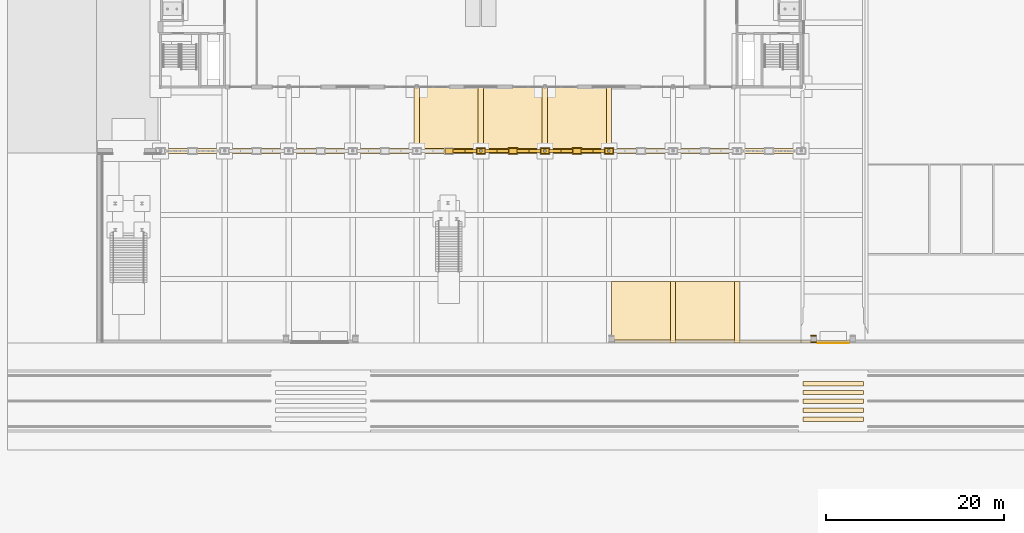
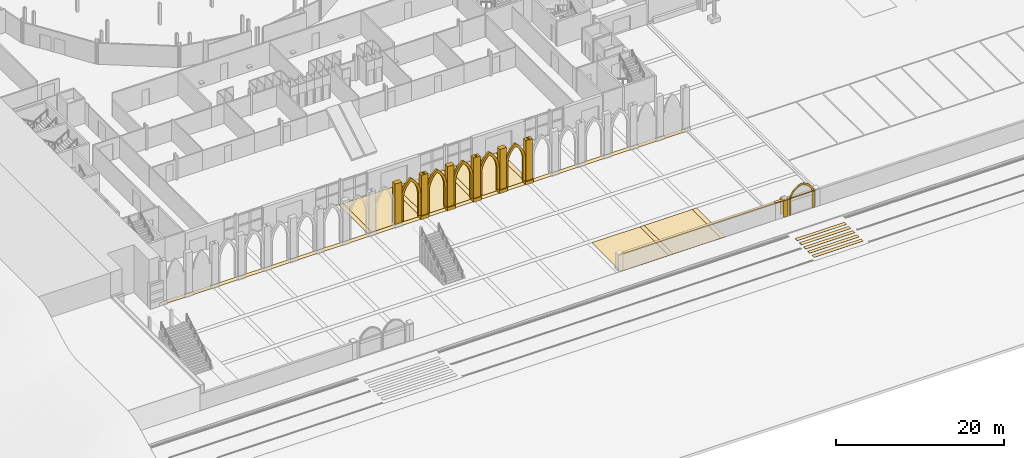
# One storey, part 119 of 148: 39 coverings.
"""IFC4 building model written with IfcOpenShell, lengths in metres."""

from ifc_helpers import new_model, si_unit, direction, frame, origin, place, context, subcontext, project, spatial, polyline, outline, extrude, material, layer, layer_set, type_object, element, save


model = new_model("IFC4")

# Units and contexts
model_context = context("Model", 3, precision=1e-05, world=origin(), true_north=direction((0.0, 1.0)))
body_context = subcontext(model_context, "Body", "Model", "MODEL_VIEW")
ifc_project = project(units=[si_unit("LENGTHUNIT", "METRE"), si_unit("AREAUNIT", "SQUARE_METRE"), si_unit("VOLUMEUNIT", "CUBIC_METRE"), si_unit("PLANEANGLEUNIT", "RADIAN"), si_unit("MASSUNIT", "GRAM", prefix="KILO")], contexts=[model_context])

# Site, building, storey
site_placement = place(None, origin())
site = spatial("IfcSite", under=ifc_project, at=site_placement, CompositionType="ELEMENT")
building_placement = place(site_placement, origin())
building = spatial("IfcBuilding", under=site, at=building_placement, Name="Kupolbacken Congress Centre", CompositionType="ELEMENT")
storey_placement = place(building_placement, origin())
storey = spatial("IfcBuildingStorey", under=building, at=storey_placement, Name="L00", CompositionType="ELEMENT", Elevation=0.0)

# Coverings
ifc_material_1 = material(Name="Limestone cladding", Category="masonry")
ifc_layer_1 = layer(ifc_material_1, 0.1201171875)
ifc_layer_set_1 = layer_set([ifc_layer_1], Name="Limestone cladding")
covering_type_1 = type_object("IfcCoveringType", Name="CV1 limestone cladding band 120", PredefinedType="CLADDING", material=ifc_layer_set_1)
covering_1_placement = place(storey_placement, origin())
element("IfcCovering", 1, at=covering_1_placement, inside=storey, type_object=covering_type_1, Name="Gate pier limestone facing", PredefinedType="CLADDING", context=body_context, shape_type="SweptSolid", body=[
    extrude(outline(polyline([(80.300048828125, 0.02490234375), (80.300048828125, 0.14501953125), (80.89990234375, 0.14501953125), (80.89990234375, 0.02490234375), (80.300048828125, 0.02490234375)])), origin(), (0.0, 0.0, 1.0), 2.39990234375),
])
covering_2_placement = place(storey_placement, origin())
element("IfcCovering", 2, at=covering_2_placement, inside=storey, type_object=covering_type_1, Name="Gate pier limestone facing", PredefinedType="CLADDING", context=body_context, shape_type="SweptSolid", body=[
    extrude(outline(polyline([(80.300048828125, 0.7451171875), (80.300048828125, 0.864990234375), (80.89990234375, 0.864990234375), (80.89990234375, 0.7451171875), (80.300048828125, 0.7451171875)])), origin(), (0.0, 0.0, 1.0), 2.39990234375),
])
covering_3_placement = place(storey_placement, frame((0.0, 0.0, 2.39990234375)))
element("IfcCovering", 3, at=covering_3_placement, inside=storey, type_object=covering_type_1, Name="Limestone coping on boundary wall", PredefinedType="CLADDING", context=body_context, shape_type="SweptSolid", body=[
    extrude(outline(polyline([(58.199951171875, 0.375), (79.199951171875, 0.375), (79.199951171875, 0.0009765625), (58.199951171875, 0.0009765625), (58.199951171875, 0.375)])), origin(), (0.0, 0.0, 1.0), 0.1201171875),
])
covering_4_placement = place(storey_placement, frame((0.0, 0.0, 2.39990234375)))
element("IfcCovering", 4, at=covering_4_placement, inside=storey, type_object=covering_type_1, Name="Limestone coping on boundary wall", PredefinedType="CLADDING", context=body_context, shape_type="SweptSolid", body=[
    extrude(outline(polyline([(79.199951171875, 0.375), (80.300048828125, 0.375), (80.300048828125, 0.0009765625), (79.199951171875, 0.0009765625), (79.199951171875, 0.375)])), origin(), (0.0, 0.0, 1.0), 0.1201171875),
])
covering_5_placement = place(storey_placement, frame((0.0, 0.0, 2.39990234375)))
element("IfcCovering", 5, at=covering_5_placement, inside=storey, type_object=covering_type_1, Name="Limestone coping on boundary wall", PredefinedType="CLADDING", context=body_context, shape_type="SweptSolid", body=[
    extrude(outline(polyline([(80.89990234375, 0.375), (84.699951171875, 0.375), (84.699951171875, 0.0009765625), (80.89990234375, 0.0009765625), (80.89990234375, 0.375)])), origin(), (0.0, 0.0, 1.0), 0.1201171875),
])
ifc_material_2 = material(Name="Limestone cladding", Category="masonry")
ifc_layer_2 = layer(ifc_material_2, 0.14990234375)
ifc_layer_set_2 = layer_set([ifc_layer_2], Name="Limestone cladding")
covering_type_2 = type_object("IfcCoveringType", Name="CV4 limestone blind arch frame 150", PredefinedType="CLADDING", material=ifc_layer_set_2)
covering_6_placement = place(storey_placement, frame((81.050048828125, 0.02490234375, 0.0), z_axis=(0.0, -1.0, 0.0), x_axis=(1.0, 0.0, 0.0)))
element("IfcCovering", 6, at=covering_6_placement, inside=storey, type_object=covering_type_2, Name="E/portal/PG1/arch1", PredefinedType="CLADDING", context=body_context, shape_type="SweptSolid", body=[
    extrude(outline(polyline([(0.0, 0.0), (0.0, 2.0), (0.010498046875, 2.21484375), (0.04150390625, 2.427978515625), (0.09326171875, 2.63671875), (0.164794921875, 2.839599609375), (0.255859375, 3.03466796875), (0.365234375, 3.219970703125), (0.491943359375, 3.393798828125), (0.635009765625, 3.5546875), (0.79296875, 3.70068359375), (0.96435546875, 3.8310546875), (1.1474609375, 3.944091796875), (1.3408203125, 4.038818359375), (1.542236328125, 4.1142578125), (1.75, 4.169921875), (1.957763671875, 4.1142578125), (2.1591796875, 4.038818359375), (2.3525390625, 3.944091796875), (2.53564453125, 3.8310546875), (2.70703125, 3.70068359375), (2.864990234375, 3.5546875), (3.008056640625, 3.393798828125), (3.134765625, 3.219970703125), (3.244140625, 3.03466796875), (3.335205078125, 2.839599609375), (3.40673828125, 2.63671875), (3.45849609375, 2.427978515625), (3.489501953125, 2.21484375), (3.5, 2.0), (3.5, 0.0), (3.25, 0.0), (3.25, 2.0), (3.2412109375, 2.18701171875), (3.214599609375, 2.3720703125), (3.17041015625, 2.553955078125), (3.109619140625, 2.730712890625), (3.031982421875, 2.90087890625), (2.938720703125, 3.06298828125), (2.830322265625, 3.215576171875), (2.7080078125, 3.357177734375), (2.572998046875, 3.486572265625), (2.426025390625, 3.6025390625), (2.268798828125, 3.7041015625), (2.102783203125, 3.790283203125), (1.92919921875, 3.860107421875), (1.75, 3.913330078125), (1.57080078125, 3.860107421875), (1.397216796875, 3.790283203125), (1.231201171875, 3.7041015625), (1.073974609375, 3.6025390625), (0.927001953125, 3.486572265625), (0.7919921875, 3.357177734375), (0.669677734375, 3.215576171875), (0.561279296875, 3.06298828125), (0.468017578125, 2.90087890625), (0.390380859375, 2.730712890625), (0.32958984375, 2.553955078125), (0.285400390625, 2.3720703125), (0.2587890625, 2.18701171875), (0.25, 2.0), (0.25, 0.0), (0.0, 0.0)])), origin(), (0.0, 0.0, 1.0), 0.02001953125),
])
ifc_material_3 = material(Name="Limestone cladding", Category="masonry")
ifc_layer_3 = layer(ifc_material_3, 0.60009765625)
ifc_layer_set_3 = layer_set([ifc_layer_3], Name="Limestone cladding")
covering_type_3 = type_object("IfcCoveringType", Name="CV5 limestone arcade pier 600", PredefinedType="CLADDING", material=ifc_layer_set_3)
covering_7_placement = place(storey_placement, frame((0.0, 0.0, 0.5)))
element("IfcCovering", 7, at=covering_7_placement, inside=storey, type_object=covering_type_3, Name="F/arc/pier/039.6/shaft", PredefinedType="CLADDING", context=body_context, shape_type="SweptSolid", body=[
    extrude(outline(polyline([(39.14990234375, 21.300048828125), (40.050048828125, 21.300048828125), (40.050048828125, 21.89990234375), (39.14990234375, 21.89990234375), (39.14990234375, 21.300048828125)])), origin(), (0.0, 0.0, 1.0), 5.8701171875),
])
covering_8_placement = place(storey_placement, origin())
element("IfcCovering", 8, at=covering_8_placement, inside=storey, type_object=covering_type_3, Name="F/arc/pier/043.2/base", PredefinedType="CLADDING", context=body_context, shape_type="SweptSolid", body=[
    extrude(outline(polyline([(42.64990234375, 21.199951171875), (43.75, 21.199951171875), (43.75, 22.0), (42.64990234375, 22.0), (42.64990234375, 21.199951171875)]), holes=[polyline([(43.06005859375, 21.4599609375), (43.340087890625, 21.4599609375), (43.340087890625, 21.739990234375), (43.06005859375, 21.739990234375), (43.06005859375, 21.4599609375)])]), origin(), (0.0, 0.0, 1.0), 0.5),
])
covering_9_placement = place(storey_placement, frame((0.0, 0.0, 0.5)))
element("IfcCovering", 9, at=covering_9_placement, inside=storey, type_object=covering_type_3, Name="F/arc/pier/043.2/shaft", PredefinedType="CLADDING", context=body_context, shape_type="SweptSolid", body=[
    extrude(outline(polyline([(42.75, 21.300048828125), (43.64990234375, 21.300048828125), (43.64990234375, 21.89990234375), (42.75, 21.89990234375), (42.75, 21.300048828125)]), holes=[polyline([(43.06005859375, 21.4599609375), (43.340087890625, 21.4599609375), (43.340087890625, 21.739990234375), (43.06005859375, 21.739990234375), (43.06005859375, 21.4599609375)])]), origin(), (0.0, 0.0, 1.0), 5.8701171875),
])
covering_10_placement = place(storey_placement, origin())
element("IfcCovering", 10, at=covering_10_placement, inside=storey, type_object=covering_type_3, Name="F/arc/pier/046.8/base", PredefinedType="CLADDING", context=body_context, shape_type="SweptSolid", body=[
    extrude(outline(polyline([(46.25, 21.199951171875), (47.35009765625, 21.199951171875), (47.35009765625, 22.0), (46.25, 22.0), (46.25, 21.199951171875)])), origin(), (0.0, 0.0, 1.0), 0.5),
])
covering_11_placement = place(storey_placement, frame((0.0, 0.0, 0.5)))
element("IfcCovering", 11, at=covering_11_placement, inside=storey, type_object=covering_type_3, Name="F/arc/pier/046.8/shaft", PredefinedType="CLADDING", context=body_context, shape_type="SweptSolid", body=[
    extrude(outline(polyline([(46.35009765625, 21.300048828125), (47.25, 21.300048828125), (47.25, 21.89990234375), (46.35009765625, 21.89990234375), (46.35009765625, 21.300048828125)])), origin(), (0.0, 0.0, 1.0), 5.8701171875),
])
covering_12_placement = place(storey_placement, origin())
element("IfcCovering", 12, at=covering_12_placement, inside=storey, type_object=covering_type_3, Name="F/arc/pier/050.4/base", PredefinedType="CLADDING", context=body_context, shape_type="SweptSolid", body=[
    extrude(outline(polyline([(49.85009765625, 21.199951171875), (50.949951171875, 21.199951171875), (50.949951171875, 22.0), (49.85009765625, 22.0), (49.85009765625, 21.199951171875)]), holes=[polyline([(50.260009765625, 21.4599609375), (50.5400390625, 21.4599609375), (50.5400390625, 21.739990234375), (50.260009765625, 21.739990234375), (50.260009765625, 21.4599609375)])]), origin(), (0.0, 0.0, 1.0), 0.5),
])
covering_13_placement = place(storey_placement, frame((0.0, 0.0, 0.5)))
element("IfcCovering", 13, at=covering_13_placement, inside=storey, type_object=covering_type_3, Name="F/arc/pier/050.4/shaft", PredefinedType="CLADDING", context=body_context, shape_type="SweptSolid", body=[
    extrude(outline(polyline([(49.949951171875, 21.300048828125), (50.85009765625, 21.300048828125), (50.85009765625, 21.89990234375), (49.949951171875, 21.89990234375), (49.949951171875, 21.300048828125)]), holes=[polyline([(50.260009765625, 21.4599609375), (50.5400390625, 21.4599609375), (50.5400390625, 21.739990234375), (50.260009765625, 21.739990234375), (50.260009765625, 21.4599609375)])]), origin(), (0.0, 0.0, 1.0), 5.8701171875),
])
covering_14_placement = place(storey_placement, origin())
element("IfcCovering", 14, at=covering_14_placement, inside=storey, type_object=covering_type_3, Name="F/arc/pier/054.0/base", PredefinedType="CLADDING", context=body_context, shape_type="SweptSolid", body=[
    extrude(outline(polyline([(53.449951171875, 21.199951171875), (54.550048828125, 21.199951171875), (54.550048828125, 22.0), (53.449951171875, 22.0), (53.449951171875, 21.199951171875)])), origin(), (0.0, 0.0, 1.0), 0.5),
])
covering_15_placement = place(storey_placement, frame((0.0, 0.0, 0.5)))
element("IfcCovering", 15, at=covering_15_placement, inside=storey, type_object=covering_type_3, Name="F/arc/pier/054.0/shaft", PredefinedType="CLADDING", context=body_context, shape_type="SweptSolid", body=[
    extrude(outline(polyline([(53.550048828125, 21.300048828125), (54.449951171875, 21.300048828125), (54.449951171875, 21.89990234375), (53.550048828125, 21.89990234375), (53.550048828125, 21.300048828125)])), origin(), (0.0, 0.0, 1.0), 5.8701171875),
])
covering_16_placement = place(storey_placement, origin())
element("IfcCovering", 16, at=covering_16_placement, inside=storey, type_object=covering_type_3, Name="F/arc/pier/057.6/base", PredefinedType="CLADDING", context=body_context, shape_type="SweptSolid", body=[
    extrude(outline(polyline([(57.050048828125, 21.199951171875), (58.14990234375, 21.199951171875), (58.14990234375, 22.0), (57.050048828125, 22.0), (57.050048828125, 21.199951171875)]), holes=[polyline([(57.4599609375, 21.4599609375), (57.739990234375, 21.4599609375), (57.739990234375, 21.739990234375), (57.4599609375, 21.739990234375), (57.4599609375, 21.4599609375)])]), origin(), (0.0, 0.0, 1.0), 0.5),
])
covering_17_placement = place(storey_placement, frame((0.0, 0.0, 0.5)))
element("IfcCovering", 17, at=covering_17_placement, inside=storey, type_object=covering_type_3, Name="F/arc/pier/057.6/shaft", PredefinedType="CLADDING", context=body_context, shape_type="SweptSolid", body=[
    extrude(outline(polyline([(57.14990234375, 21.300048828125), (58.050048828125, 21.300048828125), (58.050048828125, 21.89990234375), (57.14990234375, 21.89990234375), (57.14990234375, 21.300048828125)]), holes=[polyline([(57.4599609375, 21.4599609375), (57.739990234375, 21.4599609375), (57.739990234375, 21.739990234375), (57.4599609375, 21.739990234375), (57.4599609375, 21.4599609375)])]), origin(), (0.0, 0.0, 1.0), 5.8701171875),
])
ifc_material_4 = material(Name="Limestone cladding", Category="masonry")
ifc_layer_4 = layer(ifc_material_4, 0.300048828125)
ifc_layer_set_4 = layer_set([ifc_layer_4], Name="Limestone cladding")
covering_type_4 = type_object("IfcCoveringType", Name="CV6 limestone arcade arch frame 300", PredefinedType="CLADDING", material=ifc_layer_set_4)
covering_18_placement = place(storey_placement, frame((40.050048828125, 21.449951171875, 0.5), z_axis=(0.0, 1.0, 0.0), x_axis=(-1.0, 0.0, 0.0)))
element("IfcCovering", 18, at=covering_18_placement, inside=storey, type_object=covering_type_4, Name="F/arc/arch/039.6", PredefinedType="CLADDING", context=body_context, shape_type="SweptSolid", body=[
    extrude(outline(polyline([(0.0, 0.0), (0.0, 3.1201171875), (-0.00732421875, 3.343505859375), (-0.029541015625, 3.56591796875), (-0.06640625, 3.7861328125), (-0.117919921875, 4.00390625), (-0.183349609375, 4.21728515625), (-0.262939453125, 4.42626953125), (-0.356201171875, 4.62939453125), (-0.462890625, 4.82568359375), (-0.58203125, 5.014892578125), (-0.713623046875, 5.195556640625), (-0.85693359375, 5.3671875), (-1.010986328125, 5.52880859375), (-1.17578125, 5.68017578125), (-1.35009765625, 5.820068359375), (-1.5244140625, 5.68017578125), (-1.68896484375, 5.52880859375), (-1.843017578125, 5.3671875), (-1.986328125, 5.195556640625), (-2.117919921875, 5.014892578125), (-2.2373046875, 4.82568359375), (-2.34375, 4.62939453125), (-2.43701171875, 4.42626953125), (-2.5166015625, 4.21728515625), (-2.582275390625, 4.00390625), (-2.633544921875, 3.7861328125), (-2.67041015625, 3.56591796875), (-2.692626953125, 3.343505859375), (-2.699951171875, 3.1201171875), (-2.699951171875, 0.0), (-2.39990234375, 0.0), (-2.39990234375, 3.1201171875), (-2.394287109375, 3.306884765625), (-2.377197265625, 3.493408203125), (-2.348876953125, 3.67822265625), (-2.309326171875, 3.861083984375), (-2.2587890625, 4.041259765625), (-2.197265625, 4.218017578125), (-2.125244140625, 4.390625), (-2.042724609375, 4.55859375), (-1.9501953125, 4.72119140625), (-1.847900390625, 4.877685546875), (-1.736572265625, 5.028076171875), (-1.615966796875, 5.171142578125), (-1.487060546875, 5.306640625), (-1.35009765625, 5.43408203125), (-1.212890625, 5.306640625), (-1.083984375, 5.171142578125), (-0.96337890625, 5.028076171875), (-0.85205078125, 4.877685546875), (-0.749755859375, 4.72119140625), (-0.6572265625, 4.55859375), (-0.57470703125, 4.390625), (-0.502685546875, 4.218017578125), (-0.441162109375, 4.041259765625), (-0.390625, 3.861083984375), (-0.35107421875, 3.67822265625), (-0.32275390625, 3.493408203125), (-0.3056640625, 3.306884765625), (-0.300048828125, 3.1201171875), (-0.300048828125, 0.0), (0.0, 0.0)])), origin(), (0.0, 0.0, 1.0), 0.300048828125),
])
covering_19_placement = place(storey_placement, frame((43.64990234375, 21.449951171875, 0.5), z_axis=(0.0, 1.0, 0.0), x_axis=(-1.0, 0.0, 0.0)))
element("IfcCovering", 19, at=covering_19_placement, inside=storey, type_object=covering_type_4, Name="F/arc/arch/043.2", PredefinedType="CLADDING", context=body_context, shape_type="SweptSolid", body=[
    extrude(outline(polyline([(0.0, 0.0), (0.0, 3.1201171875), (-0.00732421875, 3.343505859375), (-0.029541015625, 3.56591796875), (-0.06640625, 3.7861328125), (-0.117919921875, 4.00390625), (-0.183349609375, 4.21728515625), (-0.262939453125, 4.42626953125), (-0.356201171875, 4.62939453125), (-0.462890625, 4.82568359375), (-0.58203125, 5.014892578125), (-0.713623046875, 5.195556640625), (-0.85693359375, 5.3671875), (-1.010986328125, 5.52880859375), (-1.17578125, 5.68017578125), (-1.35009765625, 5.820068359375), (-1.5244140625, 5.68017578125), (-1.68896484375, 5.52880859375), (-1.843017578125, 5.3671875), (-1.986328125, 5.195556640625), (-2.117919921875, 5.014892578125), (-2.2373046875, 4.82568359375), (-2.34375, 4.62939453125), (-2.43701171875, 4.42626953125), (-2.5166015625, 4.21728515625), (-2.582275390625, 4.00390625), (-2.633544921875, 3.7861328125), (-2.67041015625, 3.56591796875), (-2.692626953125, 3.343505859375), (-2.699951171875, 3.1201171875), (-2.699951171875, 0.0), (-2.39990234375, 0.0), (-2.39990234375, 3.1201171875), (-2.394287109375, 3.306884765625), (-2.377197265625, 3.493408203125), (-2.348876953125, 3.67822265625), (-2.309326171875, 3.861083984375), (-2.2587890625, 4.041259765625), (-2.197265625, 4.218017578125), (-2.125244140625, 4.390625), (-2.042724609375, 4.55859375), (-1.9501953125, 4.72119140625), (-1.847900390625, 4.877685546875), (-1.736572265625, 5.028076171875), (-1.615966796875, 5.171142578125), (-1.487060546875, 5.306640625), (-1.35009765625, 5.43408203125), (-1.212890625, 5.306640625), (-1.083984375, 5.171142578125), (-0.96337890625, 5.028076171875), (-0.85205078125, 4.877685546875), (-0.749755859375, 4.72119140625), (-0.6572265625, 4.55859375), (-0.57470703125, 4.390625), (-0.502685546875, 4.218017578125), (-0.441162109375, 4.041259765625), (-0.390625, 3.861083984375), (-0.35107421875, 3.67822265625), (-0.32275390625, 3.493408203125), (-0.3056640625, 3.306884765625), (-0.300048828125, 3.1201171875), (-0.300048828125, 0.0), (0.0, 0.0)])), origin(), (0.0, 0.0, 1.0), 0.300048828125),
])
covering_20_placement = place(storey_placement, frame((47.25, 21.449951171875, 0.5), z_axis=(0.0, 1.0, 0.0), x_axis=(-1.0, 0.0, 0.0)))
element("IfcCovering", 20, at=covering_20_placement, inside=storey, type_object=covering_type_4, Name="F/arc/arch/046.8", PredefinedType="CLADDING", context=body_context, shape_type="SweptSolid", body=[
    extrude(outline(polyline([(0.0, 0.0), (0.0, 3.1201171875), (-0.00732421875, 3.343505859375), (-0.029541015625, 3.56591796875), (-0.06640625, 3.7861328125), (-0.117919921875, 4.00390625), (-0.183349609375, 4.21728515625), (-0.262939453125, 4.42626953125), (-0.356201171875, 4.62939453125), (-0.462890625, 4.82568359375), (-0.58203125, 5.014892578125), (-0.713623046875, 5.195556640625), (-0.85693359375, 5.3671875), (-1.010986328125, 5.52880859375), (-1.17578125, 5.68017578125), (-1.35009765625, 5.820068359375), (-1.5244140625, 5.68017578125), (-1.68896484375, 5.52880859375), (-1.843017578125, 5.3671875), (-1.986328125, 5.195556640625), (-2.117919921875, 5.014892578125), (-2.2373046875, 4.82568359375), (-2.34375, 4.62939453125), (-2.43701171875, 4.42626953125), (-2.5166015625, 4.21728515625), (-2.582275390625, 4.00390625), (-2.633544921875, 3.7861328125), (-2.67041015625, 3.56591796875), (-2.692626953125, 3.343505859375), (-2.699951171875, 3.1201171875), (-2.699951171875, 0.0), (-2.39990234375, 0.0), (-2.39990234375, 3.1201171875), (-2.394287109375, 3.306884765625), (-2.377197265625, 3.493408203125), (-2.348876953125, 3.67822265625), (-2.309326171875, 3.861083984375), (-2.2587890625, 4.041259765625), (-2.197265625, 4.218017578125), (-2.125244140625, 4.390625), (-2.042724609375, 4.55859375), (-1.9501953125, 4.72119140625), (-1.847900390625, 4.877685546875), (-1.736572265625, 5.028076171875), (-1.615966796875, 5.171142578125), (-1.487060546875, 5.306640625), (-1.35009765625, 5.43408203125), (-1.212890625, 5.306640625), (-1.083984375, 5.171142578125), (-0.96337890625, 5.028076171875), (-0.85205078125, 4.877685546875), (-0.749755859375, 4.72119140625), (-0.6572265625, 4.55859375), (-0.57470703125, 4.390625), (-0.502685546875, 4.218017578125), (-0.441162109375, 4.041259765625), (-0.390625, 3.861083984375), (-0.35107421875, 3.67822265625), (-0.32275390625, 3.493408203125), (-0.3056640625, 3.306884765625), (-0.300048828125, 3.1201171875), (-0.300048828125, 0.0), (0.0, 0.0)])), origin(), (0.0, 0.0, 1.0), 0.300048828125),
])
covering_21_placement = place(storey_placement, frame((50.85009765625, 21.449951171875, 0.5), z_axis=(0.0, 1.0, 0.0), x_axis=(-1.0, 0.0, 0.0)))
element("IfcCovering", 21, at=covering_21_placement, inside=storey, type_object=covering_type_4, Name="F/arc/arch/050.4", PredefinedType="CLADDING", context=body_context, shape_type="SweptSolid", body=[
    extrude(outline(polyline([(0.0, 0.0), (0.0, 3.1201171875), (-0.00732421875, 3.343505859375), (-0.029541015625, 3.56591796875), (-0.06640625, 3.7861328125), (-0.117919921875, 4.00390625), (-0.183349609375, 4.21728515625), (-0.262939453125, 4.42626953125), (-0.356201171875, 4.62939453125), (-0.462890625, 4.82568359375), (-0.58203125, 5.014892578125), (-0.713623046875, 5.195556640625), (-0.85693359375, 5.3671875), (-1.010986328125, 5.52880859375), (-1.17578125, 5.68017578125), (-1.35009765625, 5.820068359375), (-1.5244140625, 5.68017578125), (-1.68896484375, 5.52880859375), (-1.843017578125, 5.3671875), (-1.986328125, 5.195556640625), (-2.117919921875, 5.014892578125), (-2.2373046875, 4.82568359375), (-2.34375, 4.62939453125), (-2.43701171875, 4.42626953125), (-2.5166015625, 4.21728515625), (-2.582275390625, 4.00390625), (-2.633544921875, 3.7861328125), (-2.67041015625, 3.56591796875), (-2.692626953125, 3.343505859375), (-2.699951171875, 3.1201171875), (-2.699951171875, 0.0), (-2.39990234375, 0.0), (-2.39990234375, 3.1201171875), (-2.394287109375, 3.306884765625), (-2.377197265625, 3.493408203125), (-2.348876953125, 3.67822265625), (-2.309326171875, 3.861083984375), (-2.2587890625, 4.041259765625), (-2.197265625, 4.218017578125), (-2.125244140625, 4.390625), (-2.042724609375, 4.55859375), (-1.9501953125, 4.72119140625), (-1.847900390625, 4.877685546875), (-1.736572265625, 5.028076171875), (-1.615966796875, 5.171142578125), (-1.487060546875, 5.306640625), (-1.35009765625, 5.43408203125), (-1.212890625, 5.306640625), (-1.083984375, 5.171142578125), (-0.96337890625, 5.028076171875), (-0.85205078125, 4.877685546875), (-0.749755859375, 4.72119140625), (-0.6572265625, 4.55859375), (-0.57470703125, 4.390625), (-0.502685546875, 4.218017578125), (-0.441162109375, 4.041259765625), (-0.390625, 3.861083984375), (-0.35107421875, 3.67822265625), (-0.32275390625, 3.493408203125), (-0.3056640625, 3.306884765625), (-0.300048828125, 3.1201171875), (-0.300048828125, 0.0), (0.0, 0.0)])), origin(), (0.0, 0.0, 1.0), 0.300048828125),
])
covering_22_placement = place(storey_placement, frame((54.449951171875, 21.449951171875, 0.5), z_axis=(0.0, 1.0, 0.0), x_axis=(-1.0, 0.0, 0.0)))
element("IfcCovering", 22, at=covering_22_placement, inside=storey, type_object=covering_type_4, Name="F/arc/arch/054.0", PredefinedType="CLADDING", context=body_context, shape_type="SweptSolid", body=[
    extrude(outline(polyline([(0.0, 0.0), (0.0, 3.1201171875), (-0.00732421875, 3.343505859375), (-0.029541015625, 3.56591796875), (-0.06640625, 3.7861328125), (-0.117919921875, 4.00390625), (-0.183349609375, 4.21728515625), (-0.262939453125, 4.42626953125), (-0.356201171875, 4.62939453125), (-0.462890625, 4.82568359375), (-0.58203125, 5.014892578125), (-0.713623046875, 5.195556640625), (-0.85693359375, 5.3671875), (-1.010986328125, 5.52880859375), (-1.17578125, 5.68017578125), (-1.35009765625, 5.820068359375), (-1.5244140625, 5.68017578125), (-1.68896484375, 5.52880859375), (-1.843017578125, 5.3671875), (-1.986328125, 5.195556640625), (-2.117919921875, 5.014892578125), (-2.2373046875, 4.82568359375), (-2.34375, 4.62939453125), (-2.43701171875, 4.42626953125), (-2.5166015625, 4.21728515625), (-2.582275390625, 4.00390625), (-2.633544921875, 3.7861328125), (-2.67041015625, 3.56591796875), (-2.692626953125, 3.343505859375), (-2.699951171875, 3.1201171875), (-2.699951171875, 0.0), (-2.39990234375, 0.0), (-2.39990234375, 3.1201171875), (-2.394287109375, 3.306884765625), (-2.377197265625, 3.493408203125), (-2.348876953125, 3.67822265625), (-2.309326171875, 3.861083984375), (-2.2587890625, 4.041259765625), (-2.197265625, 4.218017578125), (-2.125244140625, 4.390625), (-2.042724609375, 4.55859375), (-1.9501953125, 4.72119140625), (-1.847900390625, 4.877685546875), (-1.736572265625, 5.028076171875), (-1.615966796875, 5.171142578125), (-1.487060546875, 5.306640625), (-1.35009765625, 5.43408203125), (-1.212890625, 5.306640625), (-1.083984375, 5.171142578125), (-0.96337890625, 5.028076171875), (-0.85205078125, 4.877685546875), (-0.749755859375, 4.72119140625), (-0.6572265625, 4.55859375), (-0.57470703125, 4.390625), (-0.502685546875, 4.218017578125), (-0.441162109375, 4.041259765625), (-0.390625, 3.861083984375), (-0.35107421875, 3.67822265625), (-0.32275390625, 3.493408203125), (-0.3056640625, 3.306884765625), (-0.300048828125, 3.1201171875), (-0.300048828125, 0.0), (0.0, 0.0)])), origin(), (0.0, 0.0, 1.0), 0.300048828125),
])
ifc_material_5 = material(Name="Limestone cladding", Category="masonry")
ifc_layer_5 = layer(ifc_material_5, 0.02001953125)
ifc_layer_set_5 = layer_set([ifc_layer_5], Name="Limestone cladding")
covering_type_5 = type_object("IfcCoveringType", Name="GF1 limestone paving 20", PredefinedType="FLOORING", material=ifc_layer_set_5)
covering_23_placement = place(storey_placement, origin())
element("IfcCovering", 23, at=covering_23_placement, inside=storey, type_object=covering_type_5, Name="Court paving band", PredefinedType="FLOORING", context=body_context, shape_type="SweptSolid", body=[
    extrude(outline(polyline([(79.197509765625, 21.300048828125), (7.202392578125, 21.300048828125), (7.202392578125, 21.89990234375), (79.197509765625, 21.89990234375), (79.197509765625, 21.300048828125)])), origin(), (0.0, 0.0, 1.0), 0.02001953125),
])
covering_24_placement = place(storey_placement, origin())
element("IfcCovering", 24, at=covering_24_placement, inside=storey, type_object=covering_type_5, Name="Court paving band", PredefinedType="FLOORING", context=body_context, shape_type="SweptSolid", body=[
    extrude(outline(polyline([(36.300048828125, 21.89990234375), (35.699951171875, 21.89990234375), (35.699951171875, 28.797607421875), (36.300048828125, 28.797607421875), (36.300048828125, 21.89990234375)])), origin(), (0.0, 0.0, 1.0), 0.02001953125),
])
covering_25_placement = place(storey_placement, origin())
element("IfcCovering", 25, at=covering_25_placement, inside=storey, type_object=covering_type_5, Name="Court paving band", PredefinedType="FLOORING", context=body_context, shape_type="SweptSolid", body=[
    extrude(outline(polyline([(43.5, 21.89990234375), (42.89990234375, 21.89990234375), (42.89990234375, 28.797607421875), (43.5, 28.797607421875), (43.5, 21.89990234375)])), origin(), (0.0, 0.0, 1.0), 0.02001953125),
])
covering_26_placement = place(storey_placement, origin())
element("IfcCovering", 26, at=covering_26_placement, inside=storey, type_object=covering_type_5, Name="Court paving band", PredefinedType="FLOORING", context=body_context, shape_type="SweptSolid", body=[
    extrude(outline(polyline([(50.699951171875, 21.89990234375), (50.10009765625, 21.89990234375), (50.10009765625, 28.797607421875), (50.699951171875, 28.797607421875), (50.699951171875, 21.89990234375)])), origin(), (0.0, 0.0, 1.0), 0.02001953125),
])
covering_27_placement = place(storey_placement, origin())
element("IfcCovering", 27, at=covering_27_placement, inside=storey, type_object=covering_type_5, Name="Court paving band", PredefinedType="FLOORING", context=body_context, shape_type="SweptSolid", body=[
    extrude(outline(polyline([(57.89990234375, 21.89990234375), (57.300048828125, 21.89990234375), (57.300048828125, 28.797607421875), (57.89990234375, 28.797607421875), (57.89990234375, 21.89990234375)])), origin(), (0.0, 0.0, 1.0), 0.02001953125),
])
covering_28_placement = place(storey_placement, origin())
element("IfcCovering", 28, at=covering_28_placement, inside=storey, type_object=covering_type_5, Name="Court paving band", PredefinedType="FLOORING", context=body_context, shape_type="SweptSolid", body=[
    extrude(outline(polyline([(64.5, 6.89990234375), (65.10009765625, 6.89990234375), (65.10009765625, 0.00341796875), (64.5, 0.00341796875), (64.5, 6.89990234375)])), origin(), (0.0, 0.0, 1.0), 0.02001953125),
])
covering_29_placement = place(storey_placement, origin())
element("IfcCovering", 29, at=covering_29_placement, inside=storey, type_object=covering_type_5, Name="Court paving band", PredefinedType="FLOORING", context=body_context, shape_type="SweptSolid", body=[
    extrude(outline(polyline([(71.699951171875, 6.89990234375), (72.300048828125, 6.89990234375), (72.300048828125, 0.00341796875), (71.699951171875, 0.00341796875), (71.699951171875, 6.89990234375)])), origin(), (0.0, 0.0, 1.0), 0.02001953125),
])
covering_30_placement = place(storey_placement, frame((0.0, 0.0, -0.14990234375)))
element("IfcCovering", 30, at=covering_30_placement, inside=storey, type_object=covering_type_5, Name="Street crossing marking", PredefinedType="FLOORING", context=body_context, shape_type="SweptSolid", body=[
    extrude(outline(polyline([(79.39990234375, -8.800048828125), (79.39990234375, -8.300048828125), (86.199951171875, -8.300048828125), (86.199951171875, -8.800048828125), (79.39990234375, -8.800048828125)])), origin(), (0.0, 0.0, 1.0), 0.02001953125),
])
covering_31_placement = place(storey_placement, frame((0.0, 0.0, -0.14990234375)))
element("IfcCovering", 31, at=covering_31_placement, inside=storey, type_object=covering_type_5, Name="Street crossing marking", PredefinedType="FLOORING", context=body_context, shape_type="SweptSolid", body=[
    extrude(outline(polyline([(79.39990234375, -7.300048828125), (86.199951171875, -7.300048828125), (86.199951171875, -7.800048828125), (79.39990234375, -7.800048828125), (79.39990234375, -7.300048828125)])), origin(), (0.0, 0.0, 1.0), 0.02001953125),
])
covering_32_placement = place(storey_placement, frame((0.0, 0.0, -0.14990234375)))
element("IfcCovering", 32, at=covering_32_placement, inside=storey, type_object=covering_type_5, Name="Street crossing marking", PredefinedType="FLOORING", context=body_context, shape_type="SweptSolid", body=[
    extrude(outline(polyline([(79.39990234375, -6.800048828125), (79.39990234375, -6.300048828125), (86.199951171875, -6.300048828125), (86.199951171875, -6.800048828125), (79.39990234375, -6.800048828125)])), origin(), (0.0, 0.0, 1.0), 0.02001953125),
])
covering_33_placement = place(storey_placement, frame((0.0, 0.0, -0.14990234375)))
element("IfcCovering", 33, at=covering_33_placement, inside=storey, type_object=covering_type_5, Name="Street crossing marking", PredefinedType="FLOORING", context=body_context, shape_type="SweptSolid", body=[
    extrude(outline(polyline([(79.39990234375, -5.800048828125), (79.39990234375, -5.300048828125), (86.199951171875, -5.300048828125), (86.199951171875, -5.800048828125), (79.39990234375, -5.800048828125)])), origin(), (0.0, 0.0, 1.0), 0.02001953125),
])
covering_34_placement = place(storey_placement, frame((0.0, 0.0, -0.14990234375)))
element("IfcCovering", 34, at=covering_34_placement, inside=storey, type_object=covering_type_5, Name="Street crossing marking", PredefinedType="FLOORING", context=body_context, shape_type="SweptSolid", body=[
    extrude(outline(polyline([(79.39990234375, -4.300048828125), (86.199951171875, -4.300048828125), (86.199951171875, -4.800048828125), (79.39990234375, -4.800048828125), (79.39990234375, -4.300048828125)])), origin(), (0.0, 0.0, 1.0), 0.02001953125),
])
ifc_material_6 = material(Name="Brick", Category="masonry")
ifc_layer_6 = layer(ifc_material_6, 0.02001953125)
ifc_layer_set_6 = layer_set([ifc_layer_6], Name="Brick")
covering_type_6 = type_object("IfcCoveringType", Name="GF2 brick paving 20", PredefinedType="FLOORING", material=ifc_layer_set_6)
covering_35_placement = place(storey_placement, origin())
element("IfcCovering", 35, at=covering_35_placement, inside=storey, type_object=covering_type_6, Name="Court brick paving", PredefinedType="FLOORING", context=body_context, shape_type="SweptSolid", body=[
    extrude(outline(polyline([(42.89990234375, 28.797607421875), (42.89990234375, 21.89990234375), (36.300048828125, 21.89990234375), (36.300048828125, 28.797607421875), (42.89990234375, 28.797607421875)])), origin(), (0.0, 0.0, 1.0), 0.02001953125),
])
covering_36_placement = place(storey_placement, origin())
element("IfcCovering", 36, at=covering_36_placement, inside=storey, type_object=covering_type_6, Name="Court brick paving", PredefinedType="FLOORING", context=body_context, shape_type="SweptSolid", body=[
    extrude(outline(polyline([(50.10009765625, 28.797607421875), (50.10009765625, 21.89990234375), (43.5, 21.89990234375), (43.5, 28.797607421875), (50.10009765625, 28.797607421875)])), origin(), (0.0, 0.0, 1.0), 0.02001953125),
])
covering_37_placement = place(storey_placement, origin())
element("IfcCovering", 37, at=covering_37_placement, inside=storey, type_object=covering_type_6, Name="Court brick paving", PredefinedType="FLOORING", context=body_context, shape_type="SweptSolid", body=[
    extrude(outline(polyline([(57.300048828125, 28.797607421875), (57.300048828125, 21.89990234375), (50.699951171875, 21.89990234375), (50.699951171875, 28.797607421875), (57.300048828125, 28.797607421875)])), origin(), (0.0, 0.0, 1.0), 0.02001953125),
])
covering_38_placement = place(storey_placement, origin())
element("IfcCovering", 38, at=covering_38_placement, inside=storey, type_object=covering_type_6, Name="Court brick paving", PredefinedType="FLOORING", context=body_context, shape_type="SweptSolid", body=[
    extrude(outline(polyline([(65.10009765625, 0.00341796875), (65.10009765625, 6.89990234375), (71.699951171875, 6.89990234375), (71.699951171875, 0.00341796875), (65.10009765625, 0.00341796875)])), origin(), (0.0, 0.0, 1.0), 0.02001953125),
])
covering_39_placement = place(storey_placement, origin())
element("IfcCovering", 39, at=covering_39_placement, inside=storey, type_object=covering_type_6, Name="Court brick paving", PredefinedType="FLOORING", context=body_context, shape_type="SweptSolid", body=[
    extrude(outline(polyline([(57.89990234375, 0.00341796875), (57.89990234375, 6.89990234375), (64.5, 6.89990234375), (64.5, 0.00341796875), (57.89990234375, 0.00341796875)])), origin(), (0.0, 0.0, 1.0), 0.02001953125),
])

save(model, "model.ifc")
